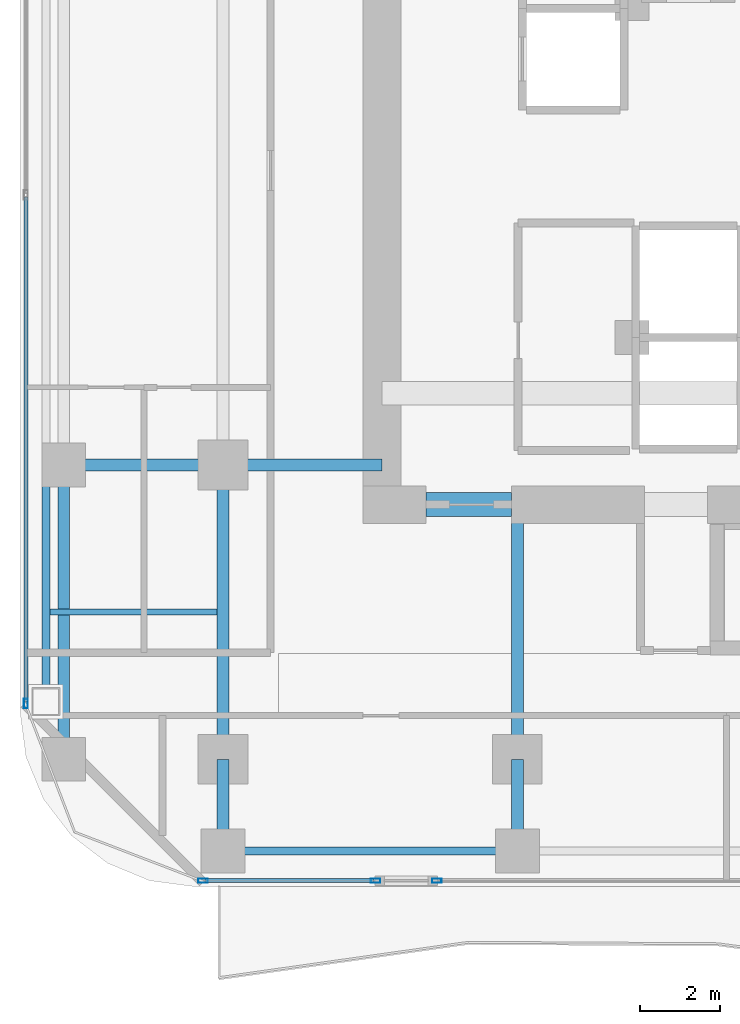
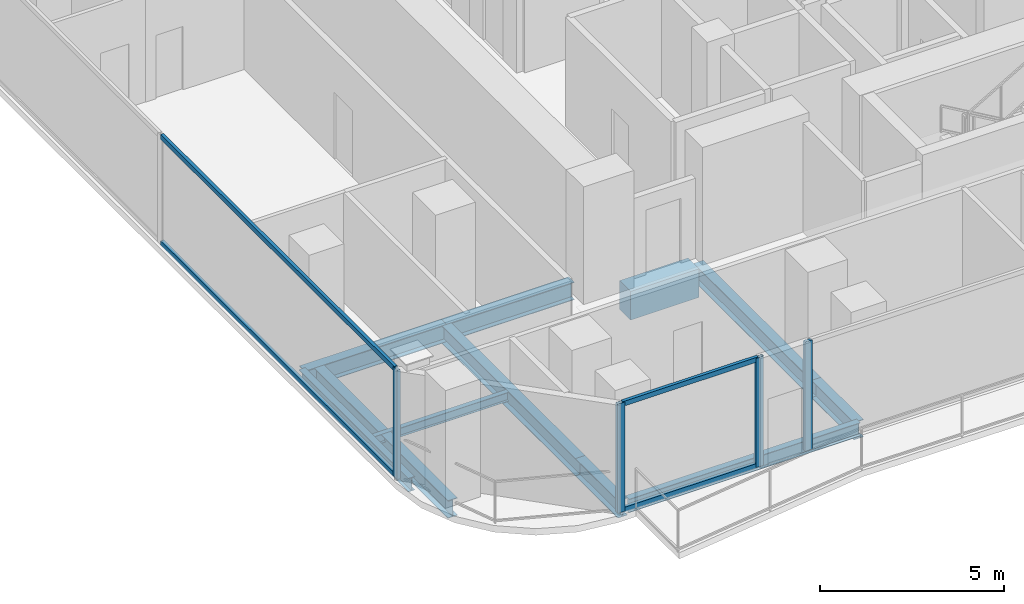
# One storey, part 2 of 27: 11 beams, 8 members, 3 elements without a shape of their own.
"""IFC4 building model written with IfcOpenShell, lengths in metres."""

import ifcopenshell
import ifcopenshell.guid

model = None  # the IFC model being written
_history = None  # IfcOwnerHistory: only IFC2X3 demands one
_inside = {}  # id of a spatial element -> (the spatial element, [elements in it])
_under = {}  # id of a project, library or spatial element -> (it, [spatial elements below it])
_declared = {}  # id of a project -> (the project, [libraries it declares])
_typed = {}  # id of a type object -> (the type object, [elements of that type])
_made_of = {}  # id of a material, layer set ... -> (it, [elements and type objects made of it])


def new_model(schema):
    """Start an empty IFC model of exactly this schema.

    Asked for "IFC4X3", IfcOpenShell would pick the latest addendum, in which some entities
    have other attributes; the version numbers below select the first issue.
    IFC2X3 requires an IfcOwnerHistory on every rooted entity: one is made here for all.
    """
    global model, _history
    if schema == "IFC4X3":
        model = ifcopenshell.file(schema_version=(4, 3, 0, 0))
    else:
        model = ifcopenshell.file(schema=schema)
    _inside.clear()
    _under.clear()
    _declared.clear()
    _typed.clear()
    _made_of.clear()
    _history = None
    if model.schema == "IFC2X3":
        org = make("IfcOrganization", Name="unknown")
        user = make(
            "IfcPersonAndOrganization",
            ThePerson=make("IfcPerson", FamilyName="unknown"),
            TheOrganization=org,
        )
        app = make(
            "IfcApplication",
            ApplicationDeveloper=org,
            Version="unknown",
            ApplicationFullName="unknown",
            ApplicationIdentifier="unknown",
        )
        _history = make(
            "IfcOwnerHistory",
            OwningUser=user,
            OwningApplication=app,
            ChangeAction="ADDED",
            CreationDate=0,
        )
    return model


def make(cls, **values):
    """One entity of the class cls with the attributes given. An attribute that is None is left unset."""
    return model.create_entity(
        cls, **{name: value for name, value in values.items() if value is not None}
    )


def rooted(cls, **values):
    """An entity with a GlobalId (a new one), such as an element, a storey or a relation."""
    return make(cls, GlobalId=ifcopenshell.guid.new(), OwnerHistory=_history, **values)


def si_unit(unit_type, name, prefix=None):
    """IfcSIUnit, for example si_unit("LENGTHUNIT", "METRE", prefix="MILLI")."""
    return make("IfcSIUnit", UnitType=unit_type, Prefix=prefix, Name=name)


def assignment(units):
    """IfcUnitAssignment: the units of a project."""
    return None if units is None else make("IfcUnitAssignment", Units=units)


def point(xyz):
    """IfcCartesianPoint."""
    return None if xyz is None else make("IfcCartesianPoint", Coordinates=xyz)


def direction(xyz):
    """IfcDirection."""
    return None if xyz is None else make("IfcDirection", DirectionRatios=xyz)


def frame(location, z_axis=None, x_axis=None):
    """IfcAxis2Placement3D, a coordinate frame: its origin and axes. An axis left out is left unset."""
    return make(
        "IfcAxis2Placement3D",
        Location=point(location),
        Axis=direction(z_axis),
        RefDirection=direction(x_axis),
    )


def frame_2d(location, x_axis=None):
    """IfcAxis2Placement2D, a coordinate frame in the plane: its origin and x axis."""
    return make(
        "IfcAxis2Placement2D", Location=point(location), RefDirection=direction(x_axis)
    )


def origin():
    """The frame at (0, 0, 0) with its axes left unset."""
    return frame((0.0, 0.0, 0.0))


def origin_2d():
    """The frame at (0, 0) in the plane with its x axis left unset."""
    return frame_2d((0.0, 0.0))


def place(relative_to, where):
    """IfcLocalPlacement: puts the frame where relative to a parent placement (None: the world)."""
    return make(
        "IfcLocalPlacement", PlacementRelTo=relative_to, RelativePlacement=where
    )


def context(
    kind, dimensions, precision=None, world=None, true_north=None, identifier=None
):
    """IfcGeometricRepresentationContext, for example the 3D "Model" context."""
    return make(
        "IfcGeometricRepresentationContext",
        ContextIdentifier=identifier,
        ContextType=kind,
        CoordinateSpaceDimension=dimensions,
        Precision=precision,
        WorldCoordinateSystem=world,
        TrueNorth=true_north,
    )


def subcontext(parent, identifier, kind, view, scale=None):
    """IfcGeometricRepresentationSubContext, for example "Body" below "Model"."""
    return make(
        "IfcGeometricRepresentationSubContext",
        ContextIdentifier=identifier,
        ContextType=kind,
        ParentContext=parent,
        TargetScale=scale,
        TargetView=view,
    )


def project(units=None, contexts=None):
    """IfcProject with its units and contexts."""
    return rooted(
        "IfcProject",
        Name="project",
        RepresentationContexts=contexts,
        UnitsInContext=assignment(units),
    )


def spatial(cls, under=None, at=None, **own):
    """A site, building, storey or space (cls), placed at a placement, below another one or the project."""
    s = rooted(cls, ObjectPlacement=at, **own)
    if under is not None:
        _under.setdefault(under.id(), (under, []))[1].append(s)
    return s


def profile(cls, at=None, kind="AREA", **sizes):
    """A parametric profile (cls). Its sizes go by their IFC names, for example OverallWidth=200.0."""
    return make(cls, ProfileType=kind, Position=at, **sizes)


def rectangle(**sizes):
    """IfcRectangleProfileDef."""
    return profile("IfcRectangleProfileDef", **sizes)


def hollow_rectangle(**sizes):
    """IfcRectangleHollowProfileDef."""
    return profile("IfcRectangleHollowProfileDef", **sizes)


def i_section(**sizes):
    """IfcIShapeProfileDef."""
    return profile("IfcIShapeProfileDef", **sizes)


def extrude(swept, where, along, depth):
    """IfcExtrudedAreaSolid: the profile swept, set in the frame where, extruded along a direction by depth."""
    return make(
        "IfcExtrudedAreaSolid",
        SweptArea=swept,
        Position=where,
        ExtrudedDirection=direction(along),
        Depth=depth,
    )


def shape(context_of_items, identifier, shape_type, items):
    """IfcShapeRepresentation: the items that make up one representation, for example the "Body"."""
    return make(
        "IfcShapeRepresentation",
        ContextOfItems=context_of_items,
        RepresentationIdentifier=identifier,
        RepresentationType=shape_type,
        Items=items,
    )


def material(Name=None, Category=None):
    """IfcMaterial."""
    return make("IfcMaterial", Name=Name, Category=Category)


def layer(
    of_material, thickness, ventilated=None, Name=None, Category=None, Priority=None
):
    """IfcMaterialLayer: one layer of a wall or slab, of a material (None: an air gap)."""
    return make(
        "IfcMaterialLayer",
        Material=of_material,
        LayerThickness=thickness,
        IsVentilated=ventilated,
        Name=Name,
        Category=Category,
        Priority=Priority,
    )


def layer_set(layers, Name=None):
    """IfcMaterialLayerSet."""
    return make("IfcMaterialLayerSet", MaterialLayers=layers, LayerSetName=Name)


def material_profile(
    of_material, cross_section, Name=None, Category=None, Priority=None
):
    """IfcMaterialProfile: a cross section and its material."""
    return make(
        "IfcMaterialProfile",
        Name=Name,
        Material=of_material,
        Profile=cross_section,
        Priority=Priority,
        Category=Category,
    )


def profile_set(profiles, Name=None, composite=None):
    """IfcMaterialProfileSet."""
    return make(
        "IfcMaterialProfileSet",
        Name=Name,
        MaterialProfiles=profiles,
        CompositeProfile=composite,
    )


def made_of(thing, what):
    """Note that an element or type object is made of a material, layer set ...; save() writes the relation."""
    if what is not None:
        _made_of.setdefault(what.id(), (what, []))[1].append(thing)
    return thing


def type_object(cls, material=None, **own):
    """A type object (cls), such as IfcWallType, which elements share."""
    return made_of(rooted(cls, **own), material)


def element(
    cls,
    number,
    at=None,
    inside=None,
    cuts=None,
    type_object=None,
    material=None,
    context=None,
    identifier="Body",
    shape_type=None,
    held_by="IfcProductDefinitionShape",
    body=None,
    shapes=None,
    **own,
):
    """One element of the class cls, such as IfcWall. Its Tag is "e" and its number.

    at: its placement. inside: the storey or other place that contains it. cuts: it is an
    opening in that element (IfcRelVoidsElement). A single representation is given by context,
    identifier, shape_type and body (its items); several are given by shapes. held_by: the class
    of the entity that holds the representations. save() writes the other relations.
    """
    e = rooted(cls, Tag="e%d" % number, ObjectPlacement=at, **own)
    if body is not None:
        shapes = [shape(context, identifier, shape_type, body)]
    if shapes is not None:
        e.Representation = make(held_by, Representations=shapes)
    if inside is not None:
        _inside.setdefault(inside.id(), (inside, []))[1].append(e)
    if cuts is not None:
        rooted(
            "IfcRelVoidsElement", RelatingBuildingElement=cuts, RelatedOpeningElement=e
        )
    if type_object is not None:
        _typed.setdefault(type_object.id(), (type_object, []))[1].append(e)
    return made_of(e, material)


def aggregate(whole, parts):
    """IfcRelAggregates: a whole, such as a stair, and the parts it consists of."""
    return rooted("IfcRelAggregates", RelatingObject=whole, RelatedObjects=parts)


def save(model, path):
    """Write the relations noted so far, then the file.

    IfcRelAggregates (storeys below a building ...), IfcRelContainedInSpatialStructure (elements
    in a storey), IfcRelDefinesByType, IfcRelAssociatesMaterial and IfcRelDeclares: one each for
    every whole, place, type object, material and project.
    """
    for whole, parts in _under.values():
        aggregate(whole, parts)
    for where, things in _inside.values():
        rooted(
            "IfcRelContainedInSpatialStructure",
            RelatedElements=things,
            RelatingStructure=where,
        )
    for kind, things in _typed.values():
        rooted("IfcRelDefinesByType", RelatedObjects=things, RelatingType=kind)
    for what, things in _made_of.values():
        rooted("IfcRelAssociatesMaterial", RelatedObjects=things, RelatingMaterial=what)
    for by, libraries in _declared.values():
        rooted("IfcRelDeclares", RelatingContext=by, RelatedDefinitions=libraries)
    model.write(path)


model = new_model("IFC4")

# Units and contexts
model_context = context("Model", 3, precision=1e-05, world=origin(), true_north=direction((0.0, 1.0)))
body_context = subcontext(model_context, "Body", "Model", "MODEL_VIEW")
ifc_project = project(units=[si_unit("LENGTHUNIT", "METRE"), si_unit("AREAUNIT", "SQUARE_METRE"), si_unit("VOLUMEUNIT", "CUBIC_METRE"), si_unit("PLANEANGLEUNIT", "RADIAN"), si_unit("MASSUNIT", "GRAM", prefix="KILO")], contexts=[model_context])

# Site, building, storey
site_placement = place(None, origin())
site = spatial("IfcSite", under=ifc_project, at=site_placement, CompositionType="ELEMENT")
building_placement = place(site_placement, origin())
building = spatial("IfcBuilding", under=site, at=building_placement, Name="Khorvyn Point Tower", CompositionType="ELEMENT")
storey_placement = place(building_placement, frame((0.0, 0.0, 132.89990234375)))
storey = spatial("IfcBuildingStorey", under=building, at=storey_placement, Name="L33", CompositionType="ELEMENT", Elevation=132.89990234375)

# Curtain wall, member
ifc_material_1 = material(Name="Anodised aluminium 6063-T6 and laminated Low-E glass", Category="aluminium")
ifc_layer = layer(ifc_material_1, 0.18994140625)
ifc_layer_set = layer_set([ifc_layer], Name="Stick-Built Acoustic Curtain Wall CW-SYS-03")
curtain_wall_type = type_object("IfcCurtainWallType", Name="Stick-Built Acoustic Curtain Wall CW-SYS-03", PredefinedType="NOTDEFINED", material=ifc_layer_set)
curtain_wall_1_placement = place(storey_placement, origin())
curtain_wall_1 = element("IfcCurtainWall", 1, at=curtain_wall_1_placement, inside=storey, type_object=curtain_wall_type, Name="Curtain Wall", PredefinedType="NOTDEFINED")
ifc_material_2 = material(Name="Anodised aluminium 6063-T6", Category="aluminium")
ifc_material_profile_1 = material_profile(ifc_material_2, hollow_rectangle(XDim=0.10009765625, YDim=0.239990234375, WallThickness=0.0048828125, at=origin_2d()))
ifc_profile_set_1 = profile_set([ifc_material_profile_1], Name="Anodised aluminium 6063-T6 ALU-MUL-100x240")
member_type_1 = type_object("IfcMemberType", Name="Anodised Aluminium 6063-T6 Mullion ALU-MUL-100x240", PredefinedType="MULLION", material=ifc_profile_set_1)
member_1_placement = place(storey_placement, frame((-9.423095703125, -17.85009765625, 0.0), z_axis=(0.0, 0.0, 1.0), x_axis=(0.0, -1.0, 0.0)))
member_1 = element("IfcMember", 2, at=member_1_placement, type_object=member_type_1, Name="Transom", PredefinedType="MULLION", context=body_context, shape_type="SweptSolid", body=[
    extrude(hollow_rectangle(XDim=0.10009765625, YDim=0.239990234375, WallThickness=0.0048828125, at=origin_2d()), origin(), (0.0, 0.0, 1.0), 3.6201171875),
])
aggregate(curtain_wall_1, [member_1])

# Curtain wall, members
curtain_wall_2_placement = place(storey_placement, origin())
curtain_wall_2 = element("IfcCurtainWall", 3, at=curtain_wall_2_placement, inside=storey, type_object=curtain_wall_type, Name="Curtain Wall", PredefinedType="NOTDEFINED")
member_2_placement = place(storey_placement, frame((-10.962890625, -17.85009765625, 0.0), z_axis=(0.0, 0.0, 1.0), x_axis=(0.0, -1.0, 0.0)))
member_2 = element("IfcMember", 4, at=member_2_placement, type_object=member_type_1, Name="Transom", PredefinedType="MULLION", context=body_context, shape_type="SweptSolid", body=[
    extrude(hollow_rectangle(XDim=0.10009765625, YDim=0.239990234375, WallThickness=0.0048828125, at=origin_2d()), origin(), (0.0, 0.0, 1.0), 3.6201171875),
])
member_3_placement = place(storey_placement, frame((-15.300048828125, -17.85009765625, 0.0), z_axis=(0.0, 0.0, 1.0), x_axis=(0.0, -1.0, 0.0)))
member_3 = element("IfcMember", 5, at=member_3_placement, type_object=member_type_1, Name="Transom", PredefinedType="MULLION", context=body_context, shape_type="SweptSolid", body=[
    extrude(hollow_rectangle(XDim=0.10009765625, YDim=0.239990234375, WallThickness=0.0048828125, at=origin_2d()), origin(), (0.0, 0.0, 1.0), 3.6201171875),
])

# Curtain wall, member
curtain_wall_3_placement = place(storey_placement, origin())
curtain_wall_3 = element("IfcCurtainWall", 6, at=curtain_wall_3_placement, inside=storey, type_object=curtain_wall_type, Name="Curtain Wall", PredefinedType="NOTDEFINED")
member_4_placement = place(storey_placement, frame((-19.75, -13.39990234375, 0.0), z_axis=(0.0, 0.0, 1.0), x_axis=(-1.0, 0.0, 0.0)))
member_4 = element("IfcMember", 7, at=member_4_placement, type_object=member_type_1, Name="Transom", PredefinedType="MULLION", context=body_context, shape_type="SweptSolid", body=[
    extrude(hollow_rectangle(XDim=0.10009765625, YDim=0.239990234375, WallThickness=0.0048828125, at=origin_2d()), origin(), (0.0, 0.0, 1.0), 3.6201171875),
])

# Member
ifc_material_profile_2 = material_profile(ifc_material_2, hollow_rectangle(XDim=0.10009765625, YDim=0.159912109375, WallThickness=0.00439453125, at=origin_2d()))
ifc_profile_set_2 = profile_set([ifc_material_profile_2], Name="Anodised aluminium 6063-T6 ALU-TRN-100x160")
member_type_2 = type_object("IfcMemberType", Name="Anodised Aluminium 6063-T6 Transom ALU-TRN-100x160", PredefinedType="USERDEFINED", material=ifc_profile_set_2)
member_5_placement = place(storey_placement, frame((-11.012939453125, -17.85009765625, 0.050048828125), z_axis=(-1.0, 0.0, 0.0), x_axis=(0.0, -1.0, 0.0)))
member_5 = element("IfcMember", 8, at=member_5_placement, type_object=member_type_2, Name="Transom", ObjectType="TRANSOM", PredefinedType="USERDEFINED", context=body_context, shape_type="SweptSolid", body=[
    extrude(hollow_rectangle(XDim=0.10009765625, YDim=0.159912109375, WallThickness=0.00439453125, at=origin_2d()), origin(), (0.0, 0.0, 1.0), 4.237060546875),
])

member_6_placement = place(storey_placement, frame((-11.012939453125, -17.85009765625, 3.570068359375), z_axis=(-1.0, 0.0, 0.0), x_axis=(0.0, -1.0, 0.0)))
member_6 = element("IfcMember", 9, at=member_6_placement, type_object=member_type_2, Name="Transom", ObjectType="TRANSOM", PredefinedType="USERDEFINED", context=body_context, shape_type="SweptSolid", body=[
    extrude(hollow_rectangle(XDim=0.10009765625, YDim=0.159912109375, WallThickness=0.00439453125, at=origin_2d()), origin(), (0.0, 0.0, 1.0), 4.237060546875),
])

aggregate(curtain_wall_2, [member_2, member_3, member_5, member_6])

member_7_placement = place(storey_placement, frame((-19.75, -13.35009765625, 0.050048828125), z_axis=(0.0, 1.0, 0.0), x_axis=(-1.0, 0.0, 0.0)))
member_7 = element("IfcMember", 10, at=member_7_placement, type_object=member_type_2, Name="Transom", ObjectType="TRANSOM", PredefinedType="USERDEFINED", context=body_context, shape_type="SweptSolid", body=[
    extrude(hollow_rectangle(XDim=0.10009765625, YDim=0.159912109375, WallThickness=0.00439453125, at=origin_2d()), origin(), (0.0, 0.0, 1.0), 12.683349609375),
])

member_8_placement = place(storey_placement, frame((-19.75, -13.35009765625, 3.570068359375), z_axis=(0.0, 1.0, 0.0), x_axis=(-1.0, 0.0, 0.0)))
member_8 = element("IfcMember", 11, at=member_8_placement, type_object=member_type_2, Name="Transom", ObjectType="TRANSOM", PredefinedType="USERDEFINED", context=body_context, shape_type="SweptSolid", body=[
    extrude(hollow_rectangle(XDim=0.10009765625, YDim=0.159912109375, WallThickness=0.00439453125, at=origin_2d()), origin(), (0.0, 0.0, 1.0), 12.683349609375),
])

aggregate(curtain_wall_3, [member_4, member_7, member_8])

# Beams
ifc_material_3 = material(Name="Concrete C50/60", Category="concrete")
ifc_material_profile_3 = material_profile(ifc_material_3, rectangle(XDim=0.60009765625, YDim=0.949951171875, at=origin_2d()))
ifc_profile_set_3 = profile_set([ifc_material_profile_3], Name="Concrete C50/60 RC600x950")
beam_type_1 = type_object("IfcBeamType", Name="Concrete C50/60 Beam RC600x950", PredefinedType="BEAM", material=ifc_profile_set_3)
beam_1_placement = place(storey_placement, frame((-9.699951171875, -8.39990234375, -0.69482421875), z_axis=(1.0, 0.0, 0.0), x_axis=(0.0, 1.0, 0.0)))
element("IfcBeam", 12, at=beam_1_placement, inside=storey, type_object=beam_type_1, Name="L33 Core Southwest Portal Coupling Beam", PredefinedType="BEAM", context=body_context, shape_type="SweptSolid", body=[
    extrude(rectangle(XDim=0.60009765625, YDim=0.949951171875, at=origin_2d()), origin(), (0.0, 0.0, 1.0), 2.14990234375),
])
ifc_material_4 = material(Name="Steel S355", Category="steel")
ifc_material_profile_4 = material_profile(ifc_material_4, i_section(OverallWidth=0.300048828125, OverallDepth=0.587890625, WebThickness=0.011962890625, FlangeThickness=0.02001953125, at=origin_2d()))
ifc_profile_set_4 = profile_set([ifc_material_profile_4], Name="Steel S355 H588x300x12x20")
beam_type_2 = type_object("IfcBeamType", Name="Steel S355 Beam H588x300x12x20", PredefinedType="BEAM", material=ifc_profile_set_4)
beam_2_placement = place(storey_placement, frame((-19.25, -7.39990234375, -0.513916015625), z_axis=(1.0, 0.0, 0.0), x_axis=(0.0, 1.0, 0.0)))
element("IfcBeam", 13, at=beam_2_placement, inside=storey, type_object=beam_type_2, Name="Beam", PredefinedType="BEAM", context=body_context, shape_type="SweptSolid", body=[
    extrude(i_section(OverallWidth=0.300048828125, OverallDepth=0.587890625, WebThickness=0.011962890625, FlangeThickness=0.02001953125, at=origin_2d()), origin(), (0.0, 0.0, 1.0), 4.449951171875),
])
beam_3_placement = place(storey_placement, frame((-14.800048828125, -7.39990234375, -0.513916015625), z_axis=(1.0, 0.0, 0.0), x_axis=(0.0, 1.0, 0.0)))
element("IfcBeam", 14, at=beam_3_placement, inside=storey, type_object=beam_type_2, Name="Beam", PredefinedType="BEAM", context=body_context, shape_type="SweptSolid", body=[
    extrude(i_section(OverallWidth=0.300048828125, OverallDepth=0.587890625, WebThickness=0.011962890625, FlangeThickness=0.02001953125, at=origin_2d()), origin(), (0.0, 0.0, 1.0), 4.0),
])
beam_4_placement = place(storey_placement, frame((-14.800048828125, -17.10009765625, -0.513916015625), z_axis=(0.0, 1.0, 0.0), x_axis=(-1.0, 0.0, 0.0)))
element("IfcBeam", 15, at=beam_4_placement, inside=storey, type_object=beam_type_2, Name="Beam", PredefinedType="BEAM", context=body_context, shape_type="SweptSolid", body=[
    extrude(i_section(OverallWidth=0.300048828125, OverallDepth=0.587890625, WebThickness=0.011962890625, FlangeThickness=0.02001953125, at=origin_2d()), origin(), (0.0, 0.0, 1.0), 2.300048828125),
])
beam_5_placement = place(storey_placement, frame((-14.800048828125, -14.800048828125, -0.513916015625), z_axis=(0.0, 1.0, 0.0), x_axis=(-1.0, 0.0, 0.0)))
element("IfcBeam", 16, at=beam_5_placement, inside=storey, type_object=beam_type_2, Name="Beam", PredefinedType="BEAM", context=body_context, shape_type="SweptSolid", body=[
    extrude(i_section(OverallWidth=0.300048828125, OverallDepth=0.587890625, WebThickness=0.011962890625, FlangeThickness=0.02001953125, at=origin_2d()), origin(), (0.0, 0.0, 1.0), 7.400146484375),
])
beam_6_placement = place(storey_placement, frame((-7.39990234375, -17.10009765625, -0.513916015625), z_axis=(0.0, 1.0, 0.0), x_axis=(-1.0, 0.0, 0.0)))
element("IfcBeam", 17, at=beam_6_placement, inside=storey, type_object=beam_type_2, Name="Beam", PredefinedType="BEAM", context=body_context, shape_type="SweptSolid", body=[
    extrude(i_section(OverallWidth=0.300048828125, OverallDepth=0.587890625, WebThickness=0.011962890625, FlangeThickness=0.02001953125, at=origin_2d()), origin(), (0.0, 0.0, 1.0), 2.300048828125),
])
beam_7_placement = place(storey_placement, frame((-7.39990234375, -14.800048828125, -0.513916015625), z_axis=(0.0, 1.0, 0.0), x_axis=(-1.0, 0.0, 0.0)))
element("IfcBeam", 18, at=beam_7_placement, inside=storey, type_object=beam_type_2, Name="Beam", PredefinedType="BEAM", context=body_context, shape_type="SweptSolid", body=[
    extrude(i_section(OverallWidth=0.300048828125, OverallDepth=0.587890625, WebThickness=0.011962890625, FlangeThickness=0.02001953125, at=origin_2d()), origin(), (0.0, 0.0, 1.0), 6.400146484375),
])
beam_8_placement = place(storey_placement, frame((-18.800048828125, -14.800048828125, -0.513916015625), z_axis=(0.0, 1.0, 0.0), x_axis=(-1.0, 0.0, 0.0)))
element("IfcBeam", 19, at=beam_8_placement, inside=storey, type_object=beam_type_2, Name="Beam", PredefinedType="BEAM", context=body_context, shape_type="SweptSolid", body=[
    extrude(i_section(OverallWidth=0.300048828125, OverallDepth=0.587890625, WebThickness=0.011962890625, FlangeThickness=0.02001953125, at=origin_2d()), origin(), (0.0, 0.0, 1.0), 7.400146484375),
])
ifc_material_profile_5 = material_profile(ifc_material_4, i_section(OverallWidth=0.14990234375, OverallDepth=0.300048828125, WebThickness=0.006591796875, FlangeThickness=0.009033203125, at=origin_2d()))
ifc_profile_set_5 = profile_set([ifc_material_profile_5], Name="Steel S355 H300x150x6.5x9")
beam_type_3 = type_object("IfcBeamType", Name="Steel S355 Joist H300x150x6.5x9", PredefinedType="JOIST", material=ifc_profile_set_5)
beam_9_placement = place(storey_placement, frame((-19.14990234375, -11.10009765625, -0.369873046875), z_axis=(1.0, 0.0, 0.0), x_axis=(0.0, 1.0, 0.0)))
element("IfcBeam", 20, at=beam_9_placement, inside=storey, type_object=beam_type_3, Name="Beam", PredefinedType="JOIST", context=body_context, shape_type="SweptSolid", body=[
    extrude(i_section(OverallWidth=0.14990234375, OverallDepth=0.300048828125, WebThickness=0.006591796875, FlangeThickness=0.009033203125, at=origin_2d()), origin(), (0.0, 0.0, 1.0), 4.199951171875),
])
ifc_material_profile_6 = material_profile(ifc_material_4, i_section(OverallWidth=0.199951171875, OverallDepth=0.449951171875, WebThickness=0.009033203125, FlangeThickness=0.013916015625, at=origin_2d()))
ifc_profile_set_6 = profile_set([ifc_material_profile_6], Name="Steel S355 H450x200x9x14")
beam_type_4 = type_object("IfcBeamType", Name="Steel S355 Spandrel H450x200x9x14", PredefinedType="SPANDREL", material=ifc_profile_set_6)
beam_10_placement = place(storey_placement, frame((-14.64990234375, -17.10009765625, -0.44482421875), z_axis=(1.0, 0.0, 0.0), x_axis=(0.0, 1.0, 0.0)))
element("IfcBeam", 21, at=beam_10_placement, inside=storey, type_object=beam_type_4, Name="Beam", PredefinedType="SPANDREL", context=body_context, shape_type="SweptSolid", body=[
    extrude(i_section(OverallWidth=0.199951171875, OverallDepth=0.449951171875, WebThickness=0.009033203125, FlangeThickness=0.013916015625, at=origin_2d()), origin(), (0.0, 0.0, 1.0), 7.25),
])
beam_11_placement = place(storey_placement, frame((-19.25, -13.35009765625, -0.44482421875), z_axis=(0.0, 1.0, 0.0), x_axis=(-1.0, 0.0, 0.0)))
element("IfcBeam", 22, at=beam_11_placement, inside=storey, type_object=beam_type_4, Name="Beam", PredefinedType="SPANDREL", context=body_context, shape_type="SweptSolid", body=[
    extrude(i_section(OverallWidth=0.199951171875, OverallDepth=0.449951171875, WebThickness=0.009033203125, FlangeThickness=0.013916015625, at=origin_2d()), origin(), (0.0, 0.0, 1.0), 5.9501953125),
])

save(model, "model.ifc")
